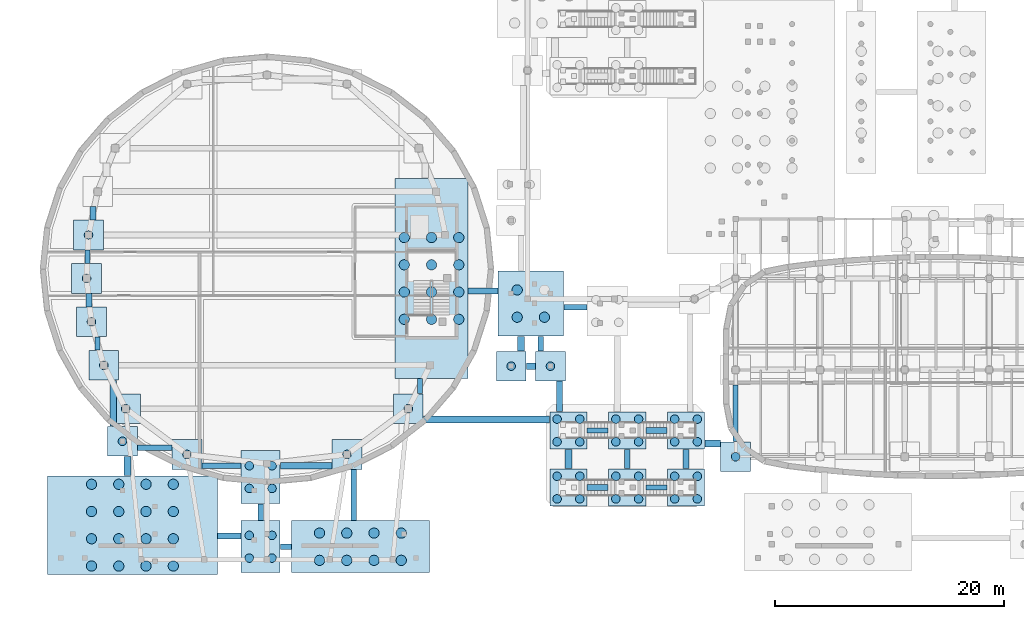
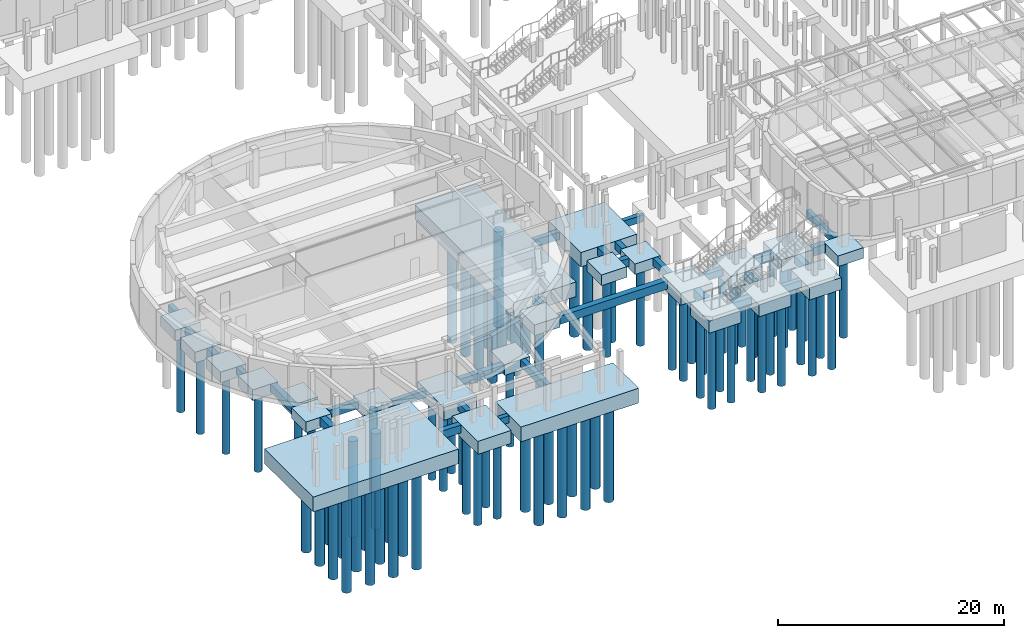
# One storey, part 1 of 45: 83 piles, 54 footings.
"""IFC4 building model written with IfcOpenShell, lengths in metres."""

from ifc_helpers import new_model, si_unit, direction, frame, origin, origin_2d, place, context, subcontext, project, spatial, rectangle, circle, extrude, material, material_profile, profile_set, type_object, element, save


model = new_model("IFC4")

# Units and contexts
model_context = context("Model", 3, precision=1e-05, world=origin(), true_north=direction((0.0, 1.0)))
body_context = subcontext(model_context, "Body", "Model", "MODEL_VIEW")
ifc_project = project(units=[si_unit("LENGTHUNIT", "METRE"), si_unit("AREAUNIT", "SQUARE_METRE"), si_unit("VOLUMEUNIT", "CUBIC_METRE"), si_unit("PLANEANGLEUNIT", "RADIAN"), si_unit("MASSUNIT", "GRAM", prefix="KILO")], contexts=[model_context])

# Site, building, storey
site_placement = place(None, origin())
site = spatial("IfcSite", under=ifc_project, at=site_placement, CompositionType="ELEMENT")
building_placement = place(site_placement, origin())
building = spatial("IfcBuilding", under=site, at=building_placement, Name="Corveleigh Park Community Centre", CompositionType="ELEMENT")
storey_placement = place(building_placement, frame((0.0, 0.0, -4.199951171875)))
storey = spatial("IfcBuildingStorey", under=building, at=storey_placement, Name="B1", CompositionType="ELEMENT", Elevation=-4.199951171875)

# Footings
ifc_material_1 = material(Name="Concrete C40/50", Category="concrete")
footing_type_1 = type_object("IfcFootingType", Name="FTG-GB-450x750", PredefinedType="FOOTING_BEAM", material=ifc_material_1)
for number, where, z_axis, x_axis, name in (
    (1, (15.299072265625, 28.699951171875, -1.1650390625), (0.0, 0.0, 1.0), (1.0, 0.0, 0.0), "Ground tie beam 9"),
    (2, (16.18310546875, 21.10009765625, -1.1650390625), (0.0, 0.0, 1.0), (1.0, 0.0, 0.0), "Ground tie beam 13"),
):
    element("IfcFooting", number, at=place(storey_placement, frame(where, z_axis=z_axis, x_axis=x_axis)), inside=storey, type_object=footing_type_1, Name=name, PredefinedType="FOOTING_BEAM", context=body_context, shape_type="SweptSolid", body=[
        extrude(rectangle(XDim=0.449951171875, YDim=1.159912109375, at=origin_2d()), origin(), (0.0, 0.0, 1.0), 0.75),
    ])
footing_1_placement = place(storey_placement, frame((27.02197265625, 10.408935546875, -1.1650390625), z_axis=(0.0, 0.0, 1.0), x_axis=(1.0, 0.0, 0.0)))
element("IfcFooting", 3, at=footing_1_placement, inside=storey, type_object=footing_type_1, Name="Ground tie beam 25", PredefinedType="FOOTING_BEAM", context=body_context, shape_type="SweptSolid", body=[
    extrude(rectangle(XDim=3.403076171875, YDim=0.449951171875, at=origin_2d()), origin(), (0.0, 0.0, 1.0), 0.75),
])
footing_2_placement = place(storey_placement, frame((32.64990234375, 3.324951171875, -1.1650390625), z_axis=(0.0, 0.0, 1.0), x_axis=(1.0, 0.0, 0.0)))
element("IfcFooting", 4, at=footing_2_placement, inside=storey, type_object=footing_type_1, Name="Ground tie beam 33", PredefinedType="FOOTING_BEAM", context=body_context, shape_type="SweptSolid", body=[
    extrude(rectangle(XDim=0.958984375, YDim=0.449951171875, at=origin_2d()), origin(), (0.0, 0.0, 1.0), 0.75),
])
footing_3_placement = place(storey_placement, frame((44.383056640625, 17.375, -1.1650390625), z_axis=(0.0, 0.0, 1.0), x_axis=(1.0, 0.0, 0.0)))
element("IfcFooting", 5, at=footing_3_placement, inside=storey, type_object=footing_type_1, Name="Ground tie beam 49", PredefinedType="FOOTING_BEAM", context=body_context, shape_type="SweptSolid", body=[
    extrude(rectangle(XDim=0.449951171875, YDim=1.31005859375, at=origin_2d()), origin(), (0.0, 0.0, 1.0), 0.75),
])
footing_4_placement = place(storey_placement, frame((57.97998046875, 24.27294921875, -1.1650390625), z_axis=(0.0, 0.0, 1.0), x_axis=(1.0, 0.0, 0.0)))
element("IfcFooting", 6, at=footing_4_placement, inside=storey, type_object=footing_type_1, Name="Ground tie beam 61", PredefinedType="FOOTING_BEAM", context=body_context, shape_type="SweptSolid", body=[
    extrude(rectangle(XDim=2.010986328125, YDim=0.449951171875, at=origin_2d()), origin(), (0.0, 0.0, 1.0), 0.75),
])
for number, where, z_axis, x_axis, name in (
    (7, (59.93994140625, 13.5, -1.1650390625), (0.0, 0.0, 1.0), (1.0, 0.0, 0.0), "Ground tie beam 69"),
    (8, (65.10009765625, 8.5, -1.1650390625), (0.0, 0.0, 1.0), (1.0, 0.0, 0.0), "Ground tie beam 77"),
):
    element("IfcFooting", number, at=place(storey_placement, frame(where, z_axis=z_axis, x_axis=x_axis)), inside=storey, type_object=footing_type_1, Name=name, PredefinedType="FOOTING_BEAM", context=body_context, shape_type="SweptSolid", body=[
        extrude(rectangle(XDim=1.840087890625, YDim=0.449951171875, at=origin_2d()), origin(), (0.0, 0.0, 1.0), 0.75),
    ])
footing_5_placement = place(storey_placement, frame((72.0, 15.0, -1.1650390625), z_axis=(0.0, 0.0, 1.0), x_axis=(1.0, 0.0, 0.0)))
element("IfcFooting", 9, at=footing_5_placement, inside=storey, type_object=footing_type_1, Name="Ground tie beam 89", PredefinedType="FOOTING_BEAM", context=body_context, shape_type="SweptSolid", body=[
    extrude(rectangle(XDim=0.449951171875, YDim=4.9599609375, at=origin_2d()), origin(), (0.0, 0.0, 1.0), 0.75),
])
footing_type_2 = type_object("IfcFootingType", Name="FTG-GB-500x800", PredefinedType="FOOTING_BEAM", material=ifc_material_1)
footing_6_placement = place(storey_placement, frame((15.783935546875, 32.5, -1.21484375), z_axis=(0.0, 0.0, 1.0), x_axis=(1.0, 0.0, 0.0)))
element("IfcFooting", 10, at=footing_6_placement, inside=storey, type_object=footing_type_2, Name="Ground tie beam 10", PredefinedType="FOOTING_BEAM", context=body_context, shape_type="SweptSolid", body=[
    extrude(rectangle(XDim=0.5, YDim=1.159912109375, at=origin_2d()), origin(), (0.0, 0.0, 1.0), 0.800048828125),
])
footing_7_placement = place(storey_placement, frame((21.176025390625, 11.97412109375, -1.21484375), z_axis=(0.0, 0.0, 1.0), x_axis=(1.0, 0.0, 0.0)))
element("IfcFooting", 11, at=footing_7_placement, inside=storey, type_object=footing_type_2, Name="Ground tie beam 22", PredefinedType="FOOTING_BEAM", context=body_context, shape_type="SweptSolid", body=[
    extrude(rectangle(XDim=3.008056640625, YDim=0.5, at=origin_2d()), origin(), (0.0, 0.0, 1.0), 0.800048828125),
])
footing_8_placement = place(storey_placement, frame((30.447021484375, 6.342041015625, -1.21484375), z_axis=(0.0, 0.0, 1.0), x_axis=(1.0, 0.0, 0.0)))
element("IfcFooting", 12, at=footing_8_placement, inside=storey, type_object=footing_type_2, Name="Ground tie beam 34", PredefinedType="FOOTING_BEAM", context=body_context, shape_type="SweptSolid", body=[
    extrude(rectangle(XDim=0.5, YDim=1.447021484375, at=origin_2d()), origin(), (0.0, 0.0, 1.0), 0.800048828125),
])
footing_9_placement = place(storey_placement, frame((38.5869140625, 7.85009765625, -1.21484375), z_axis=(0.0, 0.0, 1.0), x_axis=(1.0, 0.0, 0.0)))
element("IfcFooting", 13, at=footing_9_placement, inside=storey, type_object=footing_type_2, Name="Ground tie beam 42", PredefinedType="FOOTING_BEAM", context=body_context, shape_type="SweptSolid", body=[
    extrude(rectangle(XDim=0.5, YDim=4.4599609375, at=origin_2d()), origin(), (0.0, 0.0, 1.0), 0.800048828125),
])
footing_10_placement = place(storey_placement, frame((49.903076171875, 25.699951171875, -1.21484375), z_axis=(0.0, 0.0, 1.0), x_axis=(1.0, 0.0, 0.0)))
element("IfcFooting", 14, at=footing_10_placement, inside=storey, type_object=footing_type_2, Name="Ground tie beam 46", PredefinedType="FOOTING_BEAM", context=body_context, shape_type="SweptSolid", body=[
    extrude(rectangle(XDim=2.590087890625, YDim=0.5, at=origin_2d()), origin(), (0.0, 0.0, 1.0), 0.800048828125),
])
footing_11_placement = place(storey_placement, frame((54.945068359375, 21.083984375, -1.21484375), z_axis=(0.0, 0.0, 1.0), x_axis=(1.0, 0.0, 0.0)))
element("IfcFooting", 15, at=footing_11_placement, inside=storey, type_object=footing_type_2, Name="Ground tie beam 66", PredefinedType="FOOTING_BEAM", context=body_context, shape_type="SweptSolid", body=[
    extrude(rectangle(XDim=0.5, YDim=1.278076171875, at=origin_2d()), origin(), (0.0, 0.0, 1.0), 0.800048828125),
])
footing_12_placement = place(storey_placement, frame((56.590087890625, 16.47705078125, -1.21484375), z_axis=(0.0, 0.0, 1.0), x_axis=(1.0, 0.0, 0.0)))
element("IfcFooting", 16, at=footing_12_placement, inside=storey, type_object=footing_type_2, Name="Ground tie beam 70", PredefinedType="FOOTING_BEAM", context=body_context, shape_type="SweptSolid", body=[
    extrude(rectangle(XDim=0.5, YDim=2.655029296875, at=origin_2d()), origin(), (0.0, 0.0, 1.0), 0.800048828125),
])
footing_13_placement = place(storey_placement, frame((62.52001953125, 11.0, -1.21484375), z_axis=(0.0, 0.0, 1.0), x_axis=(1.0, 0.0, 0.0)))
element("IfcFooting", 17, at=footing_13_placement, inside=storey, type_object=footing_type_2, Name="Ground tie beam 78", PredefinedType="FOOTING_BEAM", context=body_context, shape_type="SweptSolid", body=[
    extrude(rectangle(XDim=0.5, YDim=1.699951171875, at=origin_2d()), origin(), (0.0, 0.0, 1.0), 0.800048828125),
])
footing_type_3 = type_object("IfcFootingType", Name="FTG-GB-550x850", PredefinedType="FOOTING_BEAM", material=ifc_material_1)
footing_14_placement = place(storey_placement, frame((27.697021484375, 4.26904296875, -1.26513671875), z_axis=(0.0, 0.0, 1.0), x_axis=(1.0, 0.0, 0.0)))
element("IfcFooting", 18, at=footing_14_placement, inside=storey, type_object=footing_type_3, Name="Ground tie beam 7", PredefinedType="FOOTING_BEAM", context=body_context, shape_type="SweptSolid", body=[
    extrude(rectangle(XDim=2.052978515625, YDim=0.550048828125, at=origin_2d()), origin(), (0.0, 0.0, 1.0), 0.85009765625),
])
footing_15_placement = place(storey_placement, frame((15.427001953125, 24.89990234375, -1.26513671875), z_axis=(0.0, 0.0, 1.0), x_axis=(1.0, 0.0, 0.0)))
element("IfcFooting", 19, at=footing_15_placement, inside=storey, type_object=footing_type_3, Name="Ground tie beam 11", PredefinedType="FOOTING_BEAM", context=body_context, shape_type="SweptSolid", body=[
    extrude(rectangle(XDim=0.550048828125, YDim=1.159912109375, at=origin_2d()), origin(), (0.0, 0.0, 1.0), 0.85009765625),
])
footing_16_placement = place(storey_placement, frame((17.5380859375, 15.8740234375, -1.26513671875), z_axis=(0.0, 0.0, 1.0), x_axis=(1.0, 0.0, 0.0)))
element("IfcFooting", 20, at=footing_16_placement, inside=storey, type_object=footing_type_3, Name="Ground tie beam 23", PredefinedType="FOOTING_BEAM", context=body_context, shape_type="SweptSolid", body=[
    extrude(rectangle(XDim=0.550048828125, YDim=4.011962890625, at=origin_2d()), origin(), (0.0, 0.0, 1.0), 0.85009765625),
])
footing_17_placement = place(storey_placement, frame((34.425048828125, 10.408935546875, -1.26513671875), z_axis=(0.0, 0.0, 1.0), x_axis=(1.0, 0.0, 0.0)))
element("IfcFooting", 21, at=footing_17_placement, inside=storey, type_object=footing_type_3, Name="Ground tie beam 35", PredefinedType="FOOTING_BEAM", context=body_context, shape_type="SweptSolid", body=[
    extrude(rectangle(XDim=4.510009765625, YDim=0.550048828125, at=origin_2d()), origin(), (0.0, 0.0, 1.0), 0.85009765625),
])
footing_18_placement = place(storey_placement, frame((54.0859375, 19.125, -1.26513671875), z_axis=(0.0, 0.0, 1.0), x_axis=(1.0, 0.0, 0.0)))
element("IfcFooting", 22, at=footing_18_placement, inside=storey, type_object=footing_type_3, Name="Ground tie beam 59", PredefinedType="FOOTING_BEAM", context=body_context, shape_type="SweptSolid", body=[
    extrude(rectangle(XDim=0.7958984375, YDim=0.550048828125, at=origin_2d()), origin(), (0.0, 0.0, 1.0), 0.85009765625),
])
for number, where, z_axis, x_axis, name in (
    (23, (59.93994140625, 8.5, -1.26513671875), (0.0, 0.0, 1.0), (1.0, 0.0, 0.0), "Ground tie beam 67"),
    (24, (65.10009765625, 13.5, -1.26513671875), (0.0, 0.0, 1.0), (1.0, 0.0, 0.0), "Ground tie beam 79"),
):
    element("IfcFooting", number, at=place(storey_placement, frame(where, z_axis=z_axis, x_axis=x_axis)), inside=storey, type_object=footing_type_3, Name=name, PredefinedType="FOOTING_BEAM", context=body_context, shape_type="SweptSolid", body=[
        extrude(rectangle(XDim=1.840087890625, YDim=0.550048828125, at=origin_2d()), origin(), (0.0, 0.0, 1.0), 0.85009765625),
    ])
footing_19_placement = place(storey_placement, frame((67.6650390625, 11.0, -1.26513671875), z_axis=(0.0, 0.0, 1.0), x_axis=(1.0, 0.0, 0.0)))
element("IfcFooting", 25, at=footing_19_placement, inside=storey, type_object=footing_type_3, Name="Ground tie beam 83", PredefinedType="FOOTING_BEAM", context=body_context, shape_type="SweptSolid", body=[
    extrude(rectangle(XDim=0.550048828125, YDim=1.699951171875, at=origin_2d()), origin(), (0.0, 0.0, 1.0), 0.85009765625),
])
footing_type_4 = type_object("IfcFootingType", Name="FTG-GB-600x900", PredefinedType="FOOTING_BEAM", material=ifc_material_1)
footing_20_placement = place(storey_placement, frame((18.7880859375, 10.39111328125, -1.31494140625), z_axis=(0.0, 0.0, 1.0), x_axis=(1.0, 0.0, 0.0)))
element("IfcFooting", 26, at=footing_20_placement, inside=storey, type_object=footing_type_4, Name="Ground tie beam 8", PredefinedType="FOOTING_BEAM", context=body_context, shape_type="SweptSolid", body=[
    extrude(rectangle(XDim=0.60009765625, YDim=1.673095703125, at=origin_2d()), origin(), (0.0, 0.0, 1.0), 0.89990234375),
])
footing_21_placement = place(storey_placement, frame((50.2080078125, 14.449951171875, -1.31494140625), z_axis=(0.0, 0.0, 1.0), x_axis=(1.0, 0.0, 0.0)))
element("IfcFooting", 27, at=footing_21_placement, inside=storey, type_object=footing_type_4, Name="Ground tie beam 48", PredefinedType="FOOTING_BEAM", context=body_context, shape_type="SweptSolid", body=[
    extrude(rectangle(XDim=11.0439453125, YDim=0.60009765625, at=origin_2d()), origin(), (0.0, 0.0, 1.0), 0.89990234375),
])
footing_22_placement = place(storey_placement, frame((53.22705078125, 21.083984375, -1.31494140625), z_axis=(0.0, 0.0, 1.0), x_axis=(1.0, 0.0, 0.0)))
element("IfcFooting", 28, at=footing_22_placement, inside=storey, type_object=footing_type_4, Name="Ground tie beam 60", PredefinedType="FOOTING_BEAM", context=body_context, shape_type="SweptSolid", body=[
    extrude(rectangle(XDim=0.60009765625, YDim=1.278076171875, at=origin_2d()), origin(), (0.0, 0.0, 1.0), 0.89990234375),
])
footing_23_placement = place(storey_placement, frame((57.375, 11.0, -1.31494140625), z_axis=(0.0, 0.0, 1.0), x_axis=(1.0, 0.0, 0.0)))
element("IfcFooting", 29, at=footing_23_placement, inside=storey, type_object=footing_type_4, Name="Ground tie beam 68", PredefinedType="FOOTING_BEAM", context=body_context, shape_type="SweptSolid", body=[
    extrude(rectangle(XDim=0.60009765625, YDim=1.699951171875, at=origin_2d()), origin(), (0.0, 0.0, 1.0), 0.89990234375),
])
footing_24_placement = place(storey_placement, frame((69.9951171875, 12.35009765625, -1.31494140625), z_axis=(0.0, 0.0, 1.0), x_axis=(1.0, 0.0, 0.0)))
element("IfcFooting", 30, at=footing_24_placement, inside=storey, type_object=footing_type_4, Name="Ground tie beam 84", PredefinedType="FOOTING_BEAM", context=body_context, shape_type="SweptSolid", body=[
    extrude(rectangle(XDim=1.3701171875, YDim=0.60009765625, at=origin_2d()), origin(), (0.0, 0.0, 1.0), 0.89990234375),
])
footing_type_5 = type_object("IfcFootingType", Name="FTG-PC-2600x2600x1150", PredefinedType="PILE_CAP", material=ifc_material_1)
for number, where, z_axis, x_axis, name in (
    (31, (15.212890625, 26.800048828125, -1.56494140625), (0.0, 0.0, 1.0), (1.0, 0.0, 0.0), "Pile cap 6"),
    (32, (15.385986328125, 30.60009765625, -1.56494140625), (0.0, 0.0, 1.0), (1.0, 0.0, 0.0), "Pile cap 7"),
    (33, (15.64111328125, 23.0, -1.56494140625), (0.0, 0.0, 1.0), (1.0, 0.0, 0.0), "Pile cap 8"),
    (34, (16.72509765625, 19.199951171875, -1.56494140625), (0.0, 0.0, 1.0), (1.0, 0.0, 0.0), "Pile cap 10"),
    (35, (18.35205078125, 12.548095703125, -1.56494140625), (0.0, 0.0, 1.0), (1.0, 0.0, 0.0), "Pile cap 17"),
    (36, (18.634033203125, 15.39990234375, -1.56494140625), (0.0, 0.0, 1.0), (1.0, 0.0, 0.0), "Pile cap 18"),
    (37, (24.0, 11.39990234375, -1.56494140625), (0.0, 0.0, 1.0), (1.0, 0.0, 0.0), "Pile cap 20"),
    (38, (38.0, 11.39990234375, -1.56494140625), (0.0, 0.0, 1.0), (1.0, 0.0, 0.0), "Pile cap 34"),
    (39, (43.365966796875, 15.39990234375, -1.56494140625), (0.0, 0.0, 1.0), (1.0, 0.0, 0.0), "Pile cap 40"),
    (40, (52.367919921875, 19.125, -1.56494140625), (0.0, 0.0, 1.0), (1.0, 0.0, 0.0), "Pile cap 50"),
    (41, (55.803955078125, 19.125, -1.56494140625), (0.0, 0.0, 1.0), (1.0, 0.0, 0.0), "Pile cap 57"),
    (42, (72.0, 11.199951171875, -1.56494140625), (0.0, 0.0, 1.0), (1.0, 0.0, 0.0), "Pile cap 75"),
):
    element("IfcFooting", number, at=place(storey_placement, frame(where, z_axis=z_axis, x_axis=x_axis)), inside=storey, type_object=footing_type_5, Name=name, PredefinedType="PILE_CAP", context=body_context, shape_type="SweptSolid", body=[
        extrude(rectangle(XDim=2.60009765625, YDim=2.60009765625, at=origin_2d()), origin(), (0.0, 0.0, 1.0), 1.14990234375),
    ])
footing_type_6 = type_object("IfcFootingType", Name="FTG-PC-3200x3200x1300", PredefinedType="PILE_CAP", material=ifc_material_1)
for number, where, z_axis, x_axis, name in (
    (43, (57.375, 8.5, -1.71484375), (0.0, 0.0, 1.0), (1.0, 0.0, 0.0), "Pile cap 58"),
    (44, (57.375, 13.5, -1.71484375), (0.0, 0.0, 1.0), (1.0, 0.0, 0.0), "Pile cap 59"),
):
    element("IfcFooting", number, at=place(storey_placement, frame(where, z_axis=z_axis, x_axis=x_axis)), inside=storey, type_object=footing_type_6, Name=name, PredefinedType="PILE_CAP", context=body_context, shape_type="SweptSolid", body=[
        extrude(rectangle(XDim=3.25, YDim=3.260009765625, at=origin_2d()), origin(), (0.0, 0.0, 1.0), 1.300048828125),
    ])
for number, where, z_axis, x_axis, name in (
    (45, (62.52001953125, 8.5, -1.71484375), (0.0, 0.0, 1.0), (1.0, 0.0, 0.0), "Pile cap 65"),
    (46, (62.52001953125, 13.5, -1.71484375), (0.0, 0.0, 1.0), (1.0, 0.0, 0.0), "Pile cap 66"),
):
    element("IfcFooting", number, at=place(storey_placement, frame(where, z_axis=z_axis, x_axis=x_axis)), inside=storey, type_object=footing_type_6, Name=name, PredefinedType="PILE_CAP", context=body_context, shape_type="SweptSolid", body=[
        extrude(rectangle(XDim=3.280029296875, YDim=3.260009765625, at=origin_2d()), origin(), (0.0, 0.0, 1.0), 1.300048828125),
    ])
for number, where, z_axis, x_axis, name in (
    (47, (67.6650390625, 8.5, -1.71484375), (0.0, 0.0, 1.0), (1.0, 0.0, 0.0), "Pile cap 70"),
    (48, (67.6650390625, 13.5, -1.71484375), (0.0, 0.0, 1.0), (1.0, 0.0, 0.0), "Pile cap 71"),
):
    element("IfcFooting", number, at=place(storey_placement, frame(where, z_axis=z_axis, x_axis=x_axis)), inside=storey, type_object=footing_type_6, Name=name, PredefinedType="PILE_CAP", context=body_context, shape_type="SweptSolid", body=[
        extrude(rectangle(XDim=3.25, YDim=3.260009765625, at=origin_2d()), origin(), (0.0, 0.0, 1.0), 1.300048828125),
    ])
footing_type_7 = type_object("IfcFootingType", Name="FTG-PC-4600x3400x1400", PredefinedType="PILE_CAP", material=ifc_material_1)
footing_25_placement = place(storey_placement, frame((30.447021484375, 3.323974609375, -1.81494140625), z_axis=(0.0, 0.0, 1.0), x_axis=(1.0, 0.0, 0.0)))
element("IfcFooting", 49, at=footing_25_placement, inside=storey, type_object=footing_type_7, Name="Pile cap 26", PredefinedType="PILE_CAP", context=body_context, shape_type="SweptSolid", body=[
    extrude(rectangle(XDim=3.406982421875, YDim=4.548095703125, at=origin_2d()), origin(), (0.0, 0.0, 1.0), 1.39990234375),
])
footing_26_placement = place(storey_placement, frame((30.447021484375, 9.41796875, -1.81494140625), z_axis=(0.0, 0.0, 1.0), x_axis=(1.0, 0.0, 0.0)))
element("IfcFooting", 50, at=footing_26_placement, inside=storey, type_object=footing_type_7, Name="Pile cap 27", PredefinedType="PILE_CAP", context=body_context, shape_type="SweptSolid", body=[
    extrude(rectangle(XDim=3.406982421875, YDim=4.6650390625, at=origin_2d()), origin(), (0.0, 0.0, 1.0), 1.39990234375),
])
footing_type_8 = type_object("IfcFootingType", Name="FTG-PC-8400x6000x1550", PredefinedType="PILE_CAP", material=ifc_material_1)
footing_27_placement = place(storey_placement, frame((54.0859375, 24.60009765625, -1.96484375), z_axis=(0.0, 0.0, 1.0), x_axis=(1.0, 0.0, 0.0)))
element("IfcFooting", 51, at=footing_27_placement, inside=storey, type_object=footing_type_8, Name="Pile cap 51", PredefinedType="PILE_CAP", context=body_context, shape_type="SweptSolid", body=[
    extrude(rectangle(XDim=5.736083984375, YDim=5.714111328125, at=origin_2d()), origin(), (0.0, 0.0, 1.0), 1.550048828125),
])
footing_type_9 = type_object("IfcFootingType", Name="FTG-PC-9800x7200x1600", PredefinedType="PILE_CAP", material=ifc_material_1)
footing_28_placement = place(storey_placement, frame((19.22509765625, 5.212890625, -2.01513671875), z_axis=(0.0, 0.0, 1.0), x_axis=(1.0, 0.0, 0.0)))
element("IfcFooting", 52, at=footing_28_placement, inside=storey, type_object=footing_type_9, Name="Pile cap 5", PredefinedType="PILE_CAP", context=body_context, shape_type="SweptSolid", body=[
    extrude(rectangle(XDim=14.85009765625, YDim=8.64306640625, at=origin_2d()), origin(), (0.0, 0.0, 1.0), 1.60009765625),
])
footing_29_placement = place(storey_placement, frame((39.175048828125, 3.324951171875, -2.01513671875), z_axis=(0.0, 0.0, 1.0), x_axis=(1.0, 0.0, 0.0)))
element("IfcFooting", 53, at=footing_29_placement, inside=storey, type_object=footing_type_9, Name="Pile cap 33", PredefinedType="PILE_CAP", context=body_context, shape_type="SweptSolid", body=[
    extrude(rectangle(XDim=12.050048828125, YDim=4.550048828125, at=origin_2d()), origin(), (0.0, 0.0, 1.0), 1.60009765625),
])
footing_30_placement = place(storey_placement, frame((45.39990234375, 26.800048828125, -2.01513671875), z_axis=(0.0, 0.0, 1.0), x_axis=(1.0, 0.0, 0.0)))
element("IfcFooting", 54, at=footing_30_placement, inside=storey, type_object=footing_type_9, Name="Pile cap 39", PredefinedType="PILE_CAP", context=body_context, shape_type="SweptSolid", body=[
    extrude(rectangle(XDim=6.3759765625, YDim=17.5, at=origin_2d()), origin(), (0.0, 0.0, 1.0), 1.60009765625),
])

# Piles
ifc_material_2 = material(Name="Concrete C32/40", Category="concrete")
ifc_material_profile_1 = material_profile(ifc_material_2, circle(Radius=0.375, at=origin_2d()), Name="BORED-PILE-750", Category="concrete")
ifc_profile_set_1 = profile_set([ifc_material_profile_1], Name="Concrete C32/40")
pile_type_1 = type_object("IfcPileType", Name="PIL-BRD-750", PredefinedType="BORED", material=ifc_profile_set_1)
for number, where, z_axis, x_axis, name in (
    (55, (15.212890625, 26.800048828125, -1.465087890625), (0.0, 0.0, -1.0), (1.0, 0.0, 0.0), "Rotary bored pile C6-1"),
    (56, (15.385986328125, 30.60009765625, -1.465087890625), (0.0, 0.0, -1.0), (1.0, 0.0, 0.0), "Rotary bored pile C7-1"),
    (57, (15.64111328125, 23.0, -1.465087890625), (0.0, 0.0, -1.0), (1.0, 0.0, 0.0), "Rotary bored pile C8-1"),
    (58, (16.72509765625, 19.199951171875, -1.465087890625), (0.0, 0.0, -1.0), (1.0, 0.0, 0.0), "Rotary bored pile C10-1"),
    (59, (18.35205078125, 12.548095703125, -1.465087890625), (0.0, 0.0, -1.0), (1.0, 0.0, 0.0), "Rotary bored pile C17-1"),
    (60, (18.634033203125, 15.39990234375, -1.465087890625), (0.0, 0.0, -1.0), (1.0, 0.0, 0.0), "Rotary bored pile C18-1"),
    (61, (24.0, 11.39990234375, -1.465087890625), (0.0, 0.0, -1.0), (1.0, 0.0, 0.0), "Rotary bored pile C20-1"),
):
    element("IfcPile", number, at=place(storey_placement, frame(where, z_axis=z_axis, x_axis=x_axis)), inside=storey, type_object=pile_type_1, Name=name, PredefinedType="BORED", context=body_context, shape_type="SweptSolid", body=[
        extrude(circle(Radius=0.375, at=origin_2d()), origin(), (0.0, 0.0, 1.0), 8.8349609375),
    ])
for number, where, z_axis, x_axis, name in (
    (62, (29.452880859375, 2.330078125, -1.715087890625), (0.0, 0.0, -1.0), (1.0, 0.0, 0.0), "Rotary bored pile C26-1"),
    (63, (29.452880859375, 4.31689453125, -1.715087890625), (0.0, 0.0, -1.0), (1.0, 0.0, 0.0), "Rotary bored pile C26-2"),
    (64, (31.44091796875, 2.330078125, -1.715087890625), (0.0, 0.0, -1.0), (1.0, 0.0, 0.0), "Rotary bored pile C26-3"),
    (65, (31.44091796875, 4.31689453125, -1.715087890625), (0.0, 0.0, -1.0), (1.0, 0.0, 0.0), "Rotary bored pile C26-4"),
    (66, (29.452880859375, 8.424072265625, -1.715087890625), (0.0, 0.0, -1.0), (1.0, 0.0, 0.0), "Rotary bored pile C27-1"),
    (67, (29.452880859375, 10.410888671875, -1.715087890625), (0.0, 0.0, -1.0), (1.0, 0.0, 0.0), "Rotary bored pile C27-2"),
    (68, (31.44091796875, 8.424072265625, -1.715087890625), (0.0, 0.0, -1.0), (1.0, 0.0, 0.0), "Rotary bored pile C27-3"),
    (69, (31.44091796875, 10.410888671875, -1.715087890625), (0.0, 0.0, -1.0), (1.0, 0.0, 0.0), "Rotary bored pile C27-4"),
):
    element("IfcPile", number, at=place(storey_placement, frame(where, z_axis=z_axis, x_axis=x_axis)), inside=storey, type_object=pile_type_1, Name=name, PredefinedType="BORED", context=body_context, shape_type="SweptSolid", body=[
        extrude(circle(Radius=0.375, at=origin_2d()), origin(), (0.0, 0.0, 1.0), 8.5849609375),
    ])
for number, where, z_axis, x_axis, name in (
    (70, (38.0, 11.39990234375, -1.465087890625), (0.0, 0.0, -1.0), (1.0, 0.0, 0.0), "Rotary bored pile C34-1"),
    (71, (43.365966796875, 15.39990234375, -1.465087890625), (0.0, 0.0, -1.0), (1.0, 0.0, 0.0), "Rotary bored pile C40-1"),
    (72, (52.367919921875, 19.125, -1.465087890625), (0.0, 0.0, -1.0), (1.0, 0.0, 0.0), "Rotary bored pile C50-1"),
    (73, (55.803955078125, 19.125, -1.465087890625), (0.0, 0.0, -1.0), (1.0, 0.0, 0.0), "Rotary bored pile C57-1"),
):
    element("IfcPile", number, at=place(storey_placement, frame(where, z_axis=z_axis, x_axis=x_axis)), inside=storey, type_object=pile_type_1, Name=name, PredefinedType="BORED", context=body_context, shape_type="SweptSolid", body=[
        extrude(circle(Radius=0.375, at=origin_2d()), origin(), (0.0, 0.0, 1.0), 8.8349609375),
    ])
for number, where, z_axis, x_axis, name in (
    (74, (56.382080078125, 7.506103515625, -1.614990234375), (0.0, 0.0, -1.0), (1.0, 0.0, 0.0), "Rotary bored pile C58-1"),
    (75, (56.382080078125, 9.493896484375, -1.614990234375), (0.0, 0.0, -1.0), (1.0, 0.0, 0.0), "Rotary bored pile C58-2"),
    (76, (58.368896484375, 7.506103515625, -1.614990234375), (0.0, 0.0, -1.0), (1.0, 0.0, 0.0), "Rotary bored pile C58-3"),
    (77, (58.368896484375, 9.493896484375, -1.614990234375), (0.0, 0.0, -1.0), (1.0, 0.0, 0.0), "Rotary bored pile C58-4"),
    (78, (56.382080078125, 12.506103515625, -1.614990234375), (0.0, 0.0, -1.0), (1.0, 0.0, 0.0), "Rotary bored pile C59-1"),
    (79, (56.382080078125, 14.492919921875, -1.614990234375), (0.0, 0.0, -1.0), (1.0, 0.0, 0.0), "Rotary bored pile C59-2"),
    (80, (58.368896484375, 12.506103515625, -1.614990234375), (0.0, 0.0, -1.0), (1.0, 0.0, 0.0), "Rotary bored pile C59-3"),
    (81, (58.368896484375, 14.492919921875, -1.614990234375), (0.0, 0.0, -1.0), (1.0, 0.0, 0.0), "Rotary bored pile C59-4"),
    (82, (61.527099609375, 7.506103515625, -1.614990234375), (0.0, 0.0, -1.0), (1.0, 0.0, 0.0), "Rotary bored pile C65-1"),
    (83, (61.527099609375, 9.493896484375, -1.614990234375), (0.0, 0.0, -1.0), (1.0, 0.0, 0.0), "Rotary bored pile C65-2"),
    (84, (63.513916015625, 7.506103515625, -1.614990234375), (0.0, 0.0, -1.0), (1.0, 0.0, 0.0), "Rotary bored pile C65-3"),
    (85, (63.513916015625, 9.493896484375, -1.614990234375), (0.0, 0.0, -1.0), (1.0, 0.0, 0.0), "Rotary bored pile C65-4"),
    (86, (61.527099609375, 12.506103515625, -1.614990234375), (0.0, 0.0, -1.0), (1.0, 0.0, 0.0), "Rotary bored pile C66-1"),
    (87, (61.527099609375, 14.492919921875, -1.614990234375), (0.0, 0.0, -1.0), (1.0, 0.0, 0.0), "Rotary bored pile C66-2"),
    (88, (63.513916015625, 12.506103515625, -1.614990234375), (0.0, 0.0, -1.0), (1.0, 0.0, 0.0), "Rotary bored pile C66-3"),
    (89, (63.513916015625, 14.492919921875, -1.614990234375), (0.0, 0.0, -1.0), (1.0, 0.0, 0.0), "Rotary bored pile C66-4"),
    (90, (66.672119140625, 7.506103515625, -1.614990234375), (0.0, 0.0, -1.0), (1.0, 0.0, 0.0), "Rotary bored pile C70-1"),
    (91, (66.672119140625, 9.493896484375, -1.614990234375), (0.0, 0.0, -1.0), (1.0, 0.0, 0.0), "Rotary bored pile C70-2"),
    (92, (68.658935546875, 7.506103515625, -1.614990234375), (0.0, 0.0, -1.0), (1.0, 0.0, 0.0), "Rotary bored pile C70-3"),
    (93, (68.658935546875, 9.493896484375, -1.614990234375), (0.0, 0.0, -1.0), (1.0, 0.0, 0.0), "Rotary bored pile C70-4"),
    (94, (66.672119140625, 12.506103515625, -1.614990234375), (0.0, 0.0, -1.0), (1.0, 0.0, 0.0), "Rotary bored pile C71-1"),
    (95, (66.672119140625, 14.492919921875, -1.614990234375), (0.0, 0.0, -1.0), (1.0, 0.0, 0.0), "Rotary bored pile C71-2"),
    (96, (68.658935546875, 12.506103515625, -1.614990234375), (0.0, 0.0, -1.0), (1.0, 0.0, 0.0), "Rotary bored pile C71-3"),
    (97, (68.658935546875, 14.492919921875, -1.614990234375), (0.0, 0.0, -1.0), (1.0, 0.0, 0.0), "Rotary bored pile C71-4"),
):
    element("IfcPile", number, at=place(storey_placement, frame(where, z_axis=z_axis, x_axis=x_axis)), inside=storey, type_object=pile_type_1, Name=name, PredefinedType="BORED", context=body_context, shape_type="SweptSolid", body=[
        extrude(circle(Radius=0.375, at=origin_2d()), origin(), (0.0, 0.0, 1.0), 8.68505859375),
    ])
pile_placement = place(storey_placement, frame((72.0, 11.199951171875, -1.465087890625), z_axis=(0.0, 0.0, -1.0), x_axis=(1.0, 0.0, 0.0)))
element("IfcPile", 98, at=pile_placement, inside=storey, type_object=pile_type_1, Name="Rotary bored pile C75-1", PredefinedType="BORED", context=body_context, shape_type="SweptSolid", body=[
    extrude(circle(Radius=0.375, at=origin_2d()), origin(), (0.0, 0.0, 1.0), 8.8349609375),
])
ifc_material_profile_2 = material_profile(ifc_material_2, circle(Radius=0.449951171875, at=origin_2d()), Name="BORED-PILE-900", Category="concrete")
ifc_profile_set_2 = profile_set([ifc_material_profile_2], Name="Concrete C32/40")
pile_type_2 = type_object("IfcPileType", Name="PIL-BRD-900", PredefinedType="BORED", material=ifc_profile_set_2)
for number, where, z_axis, x_axis, name in (
    (99, (15.64794921875, 1.635986328125, -1.9150390625), (0.0, 0.0, -1.0), (1.0, 0.0, 0.0), "Rotary bored pile C5-1"),
    (100, (15.64794921875, 4.02099609375, -1.9150390625), (0.0, 0.0, -1.0), (1.0, 0.0, 0.0), "Rotary bored pile C5-2"),
    (101, (15.64794921875, 6.405029296875, -1.9150390625), (0.0, 0.0, -1.0), (1.0, 0.0, 0.0), "Rotary bored pile C5-3"),
    (102, (15.64794921875, 8.7900390625, -1.9150390625), (0.0, 0.0, -1.0), (1.0, 0.0, 0.0), "Rotary bored pile C5-4"),
    (103, (18.031982421875, 1.635986328125, -1.9150390625), (0.0, 0.0, -1.0), (1.0, 0.0, 0.0), "Rotary bored pile C5-5"),
    (104, (18.031982421875, 4.02099609375, -1.9150390625), (0.0, 0.0, -1.0), (1.0, 0.0, 0.0), "Rotary bored pile C5-6"),
    (105, (18.031982421875, 6.405029296875, -1.9150390625), (0.0, 0.0, -1.0), (1.0, 0.0, 0.0), "Rotary bored pile C5-7"),
    (106, (18.031982421875, 8.7900390625, -1.9150390625), (0.0, 0.0, -1.0), (1.0, 0.0, 0.0), "Rotary bored pile C5-8"),
    (107, (20.41796875, 1.635986328125, -1.9150390625), (0.0, 0.0, -1.0), (1.0, 0.0, 0.0), "Rotary bored pile C5-9"),
    (108, (20.41796875, 4.02099609375, -1.9150390625), (0.0, 0.0, -1.0), (1.0, 0.0, 0.0), "Rotary bored pile C5-10"),
    (109, (20.41796875, 6.405029296875, -1.9150390625), (0.0, 0.0, -1.0), (1.0, 0.0, 0.0), "Rotary bored pile C5-11"),
    (110, (20.41796875, 8.7900390625, -1.9150390625), (0.0, 0.0, -1.0), (1.0, 0.0, 0.0), "Rotary bored pile C5-12"),
    (111, (22.802978515625, 1.635986328125, -1.9150390625), (0.0, 0.0, -1.0), (1.0, 0.0, 0.0), "Rotary bored pile C5-13"),
    (112, (22.802978515625, 4.02099609375, -1.9150390625), (0.0, 0.0, -1.0), (1.0, 0.0, 0.0), "Rotary bored pile C5-14"),
    (113, (22.802978515625, 6.405029296875, -1.9150390625), (0.0, 0.0, -1.0), (1.0, 0.0, 0.0), "Rotary bored pile C5-15"),
    (114, (22.802978515625, 8.7900390625, -1.9150390625), (0.0, 0.0, -1.0), (1.0, 0.0, 0.0), "Rotary bored pile C5-16"),
    (115, (35.596923828125, 2.133056640625, -1.9150390625), (0.0, 0.0, -1.0), (1.0, 0.0, 0.0), "Rotary bored pile C33-1"),
    (116, (35.596923828125, 4.51806640625, -1.9150390625), (0.0, 0.0, -1.0), (1.0, 0.0, 0.0), "Rotary bored pile C33-2"),
    (117, (37.98193359375, 2.133056640625, -1.9150390625), (0.0, 0.0, -1.0), (1.0, 0.0, 0.0), "Rotary bored pile C33-3"),
    (118, (37.98193359375, 4.51806640625, -1.9150390625), (0.0, 0.0, -1.0), (1.0, 0.0, 0.0), "Rotary bored pile C33-4"),
    (119, (40.366943359375, 2.133056640625, -1.9150390625), (0.0, 0.0, -1.0), (1.0, 0.0, 0.0), "Rotary bored pile C33-5"),
    (120, (40.366943359375, 4.51806640625, -1.9150390625), (0.0, 0.0, -1.0), (1.0, 0.0, 0.0), "Rotary bored pile C33-6"),
    (121, (42.751953125, 2.133056640625, -1.9150390625), (0.0, 0.0, -1.0), (1.0, 0.0, 0.0), "Rotary bored pile C33-7"),
    (122, (42.751953125, 4.51806640625, -1.9150390625), (0.0, 0.0, -1.0), (1.0, 0.0, 0.0), "Rotary bored pile C33-8"),
    (123, (43.014892578125, 23.222900390625, -1.9150390625), (0.0, 0.0, -1.0), (1.0, 0.0, 0.0), "Rotary bored pile C39-1"),
    (124, (43.014892578125, 25.60791015625, -1.9150390625), (0.0, 0.0, -1.0), (1.0, 0.0, 0.0), "Rotary bored pile C39-2"),
    (125, (43.014892578125, 27.991943359375, -1.9150390625), (0.0, 0.0, -1.0), (1.0, 0.0, 0.0), "Rotary bored pile C39-3"),
    (126, (43.014892578125, 30.376953125, -1.9150390625), (0.0, 0.0, -1.0), (1.0, 0.0, 0.0), "Rotary bored pile C39-4"),
    (127, (45.39990234375, 23.222900390625, -1.9150390625), (0.0, 0.0, -1.0), (1.0, 0.0, 0.0), "Rotary bored pile C39-5"),
    (128, (45.39990234375, 25.60791015625, -1.9150390625), (0.0, 0.0, -1.0), (1.0, 0.0, 0.0), "Rotary bored pile C39-6"),
    (129, (45.39990234375, 27.991943359375, -1.9150390625), (0.0, 0.0, -1.0), (1.0, 0.0, 0.0), "Rotary bored pile C39-7"),
    (130, (45.39990234375, 30.376953125, -1.9150390625), (0.0, 0.0, -1.0), (1.0, 0.0, 0.0), "Rotary bored pile C39-8"),
    (131, (47.784912109375, 23.222900390625, -1.9150390625), (0.0, 0.0, -1.0), (1.0, 0.0, 0.0), "Rotary bored pile C39-9"),
    (132, (47.784912109375, 25.60791015625, -1.9150390625), (0.0, 0.0, -1.0), (1.0, 0.0, 0.0), "Rotary bored pile C39-10"),
    (133, (47.784912109375, 27.991943359375, -1.9150390625), (0.0, 0.0, -1.0), (1.0, 0.0, 0.0), "Rotary bored pile C39-11"),
    (134, (47.784912109375, 30.376953125, -1.9150390625), (0.0, 0.0, -1.0), (1.0, 0.0, 0.0), "Rotary bored pile C39-12"),
):
    element("IfcPile", number, at=place(storey_placement, frame(where, z_axis=z_axis, x_axis=x_axis)), inside=storey, type_object=pile_type_2, Name=name, PredefinedType="BORED", context=body_context, shape_type="SweptSolid", body=[
        extrude(circle(Radius=0.449951171875, at=origin_2d()), origin(), (0.0, 0.0, 1.0), 10.385009765625),
    ])
for number, where, z_axis, x_axis, name in (
    (135, (52.89306640625, 23.407958984375, -1.864990234375), (0.0, 0.0, -1.0), (1.0, 0.0, 0.0), "Rotary bored pile C51-1"),
    (136, (52.89306640625, 25.79296875, -1.864990234375), (0.0, 0.0, -1.0), (1.0, 0.0, 0.0), "Rotary bored pile C51-2"),
    (137, (55.278076171875, 23.407958984375, -1.864990234375), (0.0, 0.0, -1.0), (1.0, 0.0, 0.0), "Rotary bored pile C51-3"),
):
    element("IfcPile", number, at=place(storey_placement, frame(where, z_axis=z_axis, x_axis=x_axis)), inside=storey, type_object=pile_type_2, Name=name, PredefinedType="BORED", context=body_context, shape_type="SweptSolid", body=[
        extrude(circle(Radius=0.449951171875, at=origin_2d()), origin(), (0.0, 0.0, 1.0), 10.43505859375),
    ])

save(model, "model.ifc")
